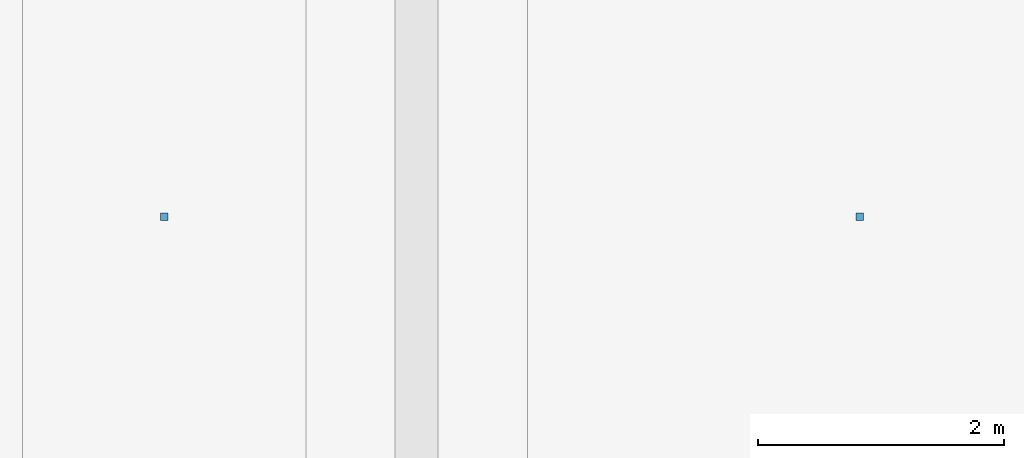
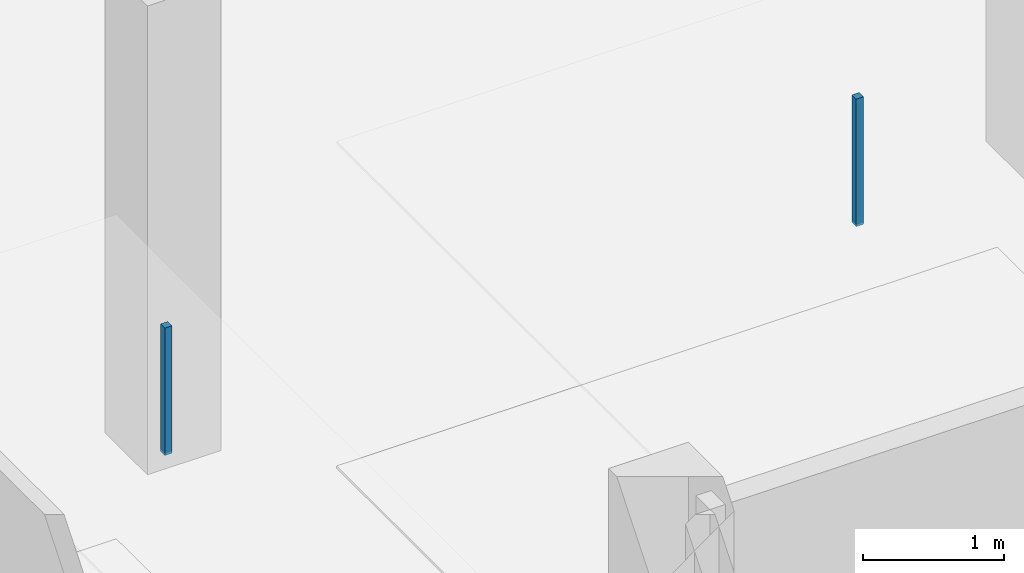
# One storey, part 73 of 77: 2 discrete accessories.
"""IFC4 building model written with IfcOpenShell, lengths in metres."""

import ifcopenshell
import ifcopenshell.guid

model = None  # the IFC model being written
_history = None  # IfcOwnerHistory: only IFC2X3 demands one
_inside = {}  # id of a spatial element -> (the spatial element, [elements in it])
_under = {}  # id of a project, library or spatial element -> (it, [spatial elements below it])
_declared = {}  # id of a project -> (the project, [libraries it declares])
_typed = {}  # id of a type object -> (the type object, [elements of that type])
_made_of = {}  # id of a material, layer set ... -> (it, [elements and type objects made of it])


def new_model(schema):
    """Start an empty IFC model of exactly this schema.

    Asked for "IFC4X3", IfcOpenShell would pick the latest addendum, in which some entities
    have other attributes; the version numbers below select the first issue.
    IFC2X3 requires an IfcOwnerHistory on every rooted entity: one is made here for all.
    """
    global model, _history
    if schema == "IFC4X3":
        model = ifcopenshell.file(schema_version=(4, 3, 0, 0))
    else:
        model = ifcopenshell.file(schema=schema)
    _inside.clear()
    _under.clear()
    _declared.clear()
    _typed.clear()
    _made_of.clear()
    _history = None
    if model.schema == "IFC2X3":
        org = make("IfcOrganization", Name="unknown")
        user = make(
            "IfcPersonAndOrganization",
            ThePerson=make("IfcPerson", FamilyName="unknown"),
            TheOrganization=org,
        )
        app = make(
            "IfcApplication",
            ApplicationDeveloper=org,
            Version="unknown",
            ApplicationFullName="unknown",
            ApplicationIdentifier="unknown",
        )
        _history = make(
            "IfcOwnerHistory",
            OwningUser=user,
            OwningApplication=app,
            ChangeAction="ADDED",
            CreationDate=0,
        )
    return model


def make(cls, **values):
    """One entity of the class cls with the attributes given. An attribute that is None is left unset."""
    return model.create_entity(
        cls, **{name: value for name, value in values.items() if value is not None}
    )


def rooted(cls, **values):
    """An entity with a GlobalId (a new one), such as an element, a storey or a relation."""
    return make(cls, GlobalId=ifcopenshell.guid.new(), OwnerHistory=_history, **values)


def si_unit(unit_type, name, prefix=None):
    """IfcSIUnit, for example si_unit("LENGTHUNIT", "METRE", prefix="MILLI")."""
    return make("IfcSIUnit", UnitType=unit_type, Prefix=prefix, Name=name)


def assignment(units):
    """IfcUnitAssignment: the units of a project."""
    return None if units is None else make("IfcUnitAssignment", Units=units)


def point(xyz):
    """IfcCartesianPoint."""
    return None if xyz is None else make("IfcCartesianPoint", Coordinates=xyz)


def direction(xyz):
    """IfcDirection."""
    return None if xyz is None else make("IfcDirection", DirectionRatios=xyz)


def frame(location, z_axis=None, x_axis=None):
    """IfcAxis2Placement3D, a coordinate frame: its origin and axes. An axis left out is left unset."""
    return make(
        "IfcAxis2Placement3D",
        Location=point(location),
        Axis=direction(z_axis),
        RefDirection=direction(x_axis),
    )


def frame_2d(location, x_axis=None):
    """IfcAxis2Placement2D, a coordinate frame in the plane: its origin and x axis."""
    return make(
        "IfcAxis2Placement2D", Location=point(location), RefDirection=direction(x_axis)
    )


def origin():
    """The frame at (0, 0, 0) with its axes left unset."""
    return frame((0.0, 0.0, 0.0))


def origin_2d():
    """The frame at (0, 0) in the plane with its x axis left unset."""
    return frame_2d((0.0, 0.0))


def place(relative_to, where):
    """IfcLocalPlacement: puts the frame where relative to a parent placement (None: the world)."""
    return make(
        "IfcLocalPlacement", PlacementRelTo=relative_to, RelativePlacement=where
    )


def context(
    kind, dimensions, precision=None, world=None, true_north=None, identifier=None
):
    """IfcGeometricRepresentationContext, for example the 3D "Model" context."""
    return make(
        "IfcGeometricRepresentationContext",
        ContextIdentifier=identifier,
        ContextType=kind,
        CoordinateSpaceDimension=dimensions,
        Precision=precision,
        WorldCoordinateSystem=world,
        TrueNorth=true_north,
    )


def subcontext(parent, identifier, kind, view, scale=None):
    """IfcGeometricRepresentationSubContext, for example "Body" below "Model"."""
    return make(
        "IfcGeometricRepresentationSubContext",
        ContextIdentifier=identifier,
        ContextType=kind,
        ParentContext=parent,
        TargetScale=scale,
        TargetView=view,
    )


def project(units=None, contexts=None):
    """IfcProject with its units and contexts."""
    return rooted(
        "IfcProject",
        Name="project",
        RepresentationContexts=contexts,
        UnitsInContext=assignment(units),
    )


def spatial(cls, under=None, at=None, **own):
    """A site, building, storey or space (cls), placed at a placement, below another one or the project."""
    s = rooted(cls, ObjectPlacement=at, **own)
    if under is not None:
        _under.setdefault(under.id(), (under, []))[1].append(s)
    return s


def profile(cls, at=None, kind="AREA", **sizes):
    """A parametric profile (cls). Its sizes go by their IFC names, for example OverallWidth=200.0."""
    return make(cls, ProfileType=kind, Position=at, **sizes)


def rectangle(**sizes):
    """IfcRectangleProfileDef."""
    return profile("IfcRectangleProfileDef", **sizes)


def extrude(swept, where, along, depth):
    """IfcExtrudedAreaSolid: the profile swept, set in the frame where, extruded along a direction by depth."""
    return make(
        "IfcExtrudedAreaSolid",
        SweptArea=swept,
        Position=where,
        ExtrudedDirection=direction(along),
        Depth=depth,
    )


def shape(context_of_items, identifier, shape_type, items):
    """IfcShapeRepresentation: the items that make up one representation, for example the "Body"."""
    return make(
        "IfcShapeRepresentation",
        ContextOfItems=context_of_items,
        RepresentationIdentifier=identifier,
        RepresentationType=shape_type,
        Items=items,
    )


def material(Name=None, Category=None):
    """IfcMaterial."""
    return make("IfcMaterial", Name=Name, Category=Category)


def made_of(thing, what):
    """Note that an element or type object is made of a material, layer set ...; save() writes the relation."""
    if what is not None:
        _made_of.setdefault(what.id(), (what, []))[1].append(thing)
    return thing


def type_object(cls, material=None, **own):
    """A type object (cls), such as IfcWallType, which elements share."""
    return made_of(rooted(cls, **own), material)


def element(
    cls,
    number,
    at=None,
    inside=None,
    cuts=None,
    type_object=None,
    material=None,
    context=None,
    identifier="Body",
    shape_type=None,
    held_by="IfcProductDefinitionShape",
    body=None,
    shapes=None,
    **own,
):
    """One element of the class cls, such as IfcWall. Its Tag is "e" and its number.

    at: its placement. inside: the storey or other place that contains it. cuts: it is an
    opening in that element (IfcRelVoidsElement). A single representation is given by context,
    identifier, shape_type and body (its items); several are given by shapes. held_by: the class
    of the entity that holds the representations. save() writes the other relations.
    """
    e = rooted(cls, Tag="e%d" % number, ObjectPlacement=at, **own)
    if body is not None:
        shapes = [shape(context, identifier, shape_type, body)]
    if shapes is not None:
        e.Representation = make(held_by, Representations=shapes)
    if inside is not None:
        _inside.setdefault(inside.id(), (inside, []))[1].append(e)
    if cuts is not None:
        rooted(
            "IfcRelVoidsElement", RelatingBuildingElement=cuts, RelatedOpeningElement=e
        )
    if type_object is not None:
        _typed.setdefault(type_object.id(), (type_object, []))[1].append(e)
    return made_of(e, material)


def aggregate(whole, parts):
    """IfcRelAggregates: a whole, such as a stair, and the parts it consists of."""
    return rooted("IfcRelAggregates", RelatingObject=whole, RelatedObjects=parts)


def save(model, path):
    """Write the relations noted so far, then the file.

    IfcRelAggregates (storeys below a building ...), IfcRelContainedInSpatialStructure (elements
    in a storey), IfcRelDefinesByType, IfcRelAssociatesMaterial and IfcRelDeclares: one each for
    every whole, place, type object, material and project.
    """
    for whole, parts in _under.values():
        aggregate(whole, parts)
    for where, things in _inside.values():
        rooted(
            "IfcRelContainedInSpatialStructure",
            RelatedElements=things,
            RelatingStructure=where,
        )
    for kind, things in _typed.values():
        rooted("IfcRelDefinesByType", RelatedObjects=things, RelatingType=kind)
    for what, things in _made_of.values():
        rooted("IfcRelAssociatesMaterial", RelatedObjects=things, RelatingMaterial=what)
    for by, libraries in _declared.values():
        rooted("IfcRelDeclares", RelatingContext=by, RelatedDefinitions=libraries)
    model.write(path)


model = new_model("IFC4")

# Units and contexts
model_context = context("Model", 3, precision=1e-05, world=origin(), true_north=direction((0.0, 1.0)))
body_context = subcontext(model_context, "Body", "Model", "MODEL_VIEW")
ifc_project = project(units=[si_unit("LENGTHUNIT", "METRE"), si_unit("AREAUNIT", "SQUARE_METRE"), si_unit("VOLUMEUNIT", "CUBIC_METRE"), si_unit("PLANEANGLEUNIT", "RADIAN"), si_unit("MASSUNIT", "GRAM", prefix="KILO")], contexts=[model_context])

# Site, building, storey
site_placement = place(None, origin())
site = spatial("IfcSite", under=ifc_project, at=site_placement, CompositionType="ELEMENT")
building_placement = place(site_placement, origin())
building = spatial("IfcBuilding", under=site, at=building_placement, Name="Kangsadwip Square Police Headquarters", CompositionType="ELEMENT")
storey_placement = place(building_placement, frame((0.0, 0.0, 17.550048828125)))
storey = spatial("IfcBuildingStorey", under=building, at=storey_placement, Name="L04", CompositionType="ELEMENT", Elevation=17.550048828125)

# Discrete accessories
ifc_material = material(Name="Structural steel IS 2062 E350 (Grade 350, 350 MPa)", Category="steel")
discrete_accessory_type = type_object("IfcDiscreteAccessoryType", Name="VeilOutriggerBracket", PredefinedType="BRACKET", material=ifc_material)
for number, where, z_axis, x_axis, name in (
    (1, (149.14990234375, 104.39990234375, 2.809814453125), (0.0, 0.0, 1.0), (1.0, 0.0, 0.0), "Ceiling Suspension Hanger L04-116"),
    (2, (154.800048828125, 104.39990234375, 2.809814453125), (0.0, 0.0, 1.0), (1.0, 0.0, 0.0), "Ceiling Suspension Hanger L04-117"),
):
    element("IfcDiscreteAccessory", number, at=place(storey_placement, frame(where, z_axis=z_axis, x_axis=x_axis)), inside=storey, type_object=discrete_accessory_type, Name=name, PredefinedType="BRACKET", context=body_context, shape_type="SweptSolid", body=[
        extrude(rectangle(XDim=0.06005859375, YDim=0.06005859375, at=origin_2d()), origin(), (0.0, 0.0, 1.0), 1.10009765625),
    ])

save(model, "model.ifc")
